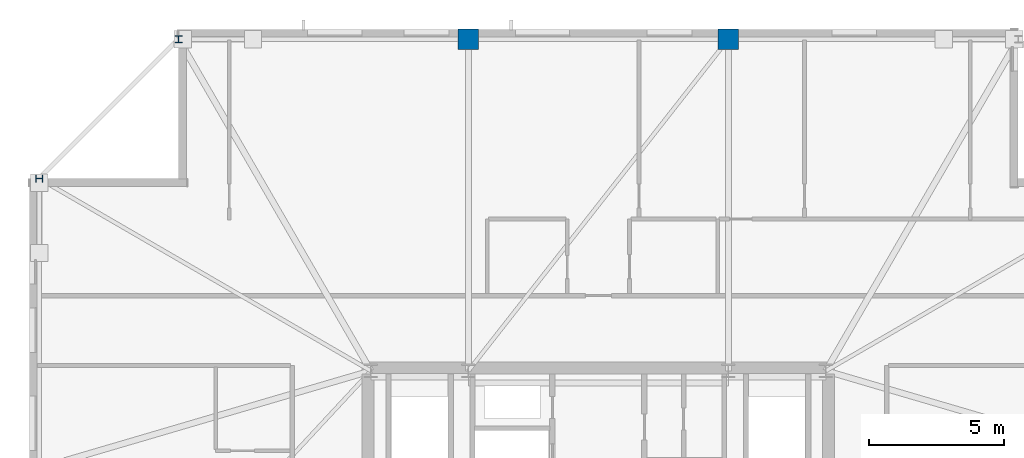
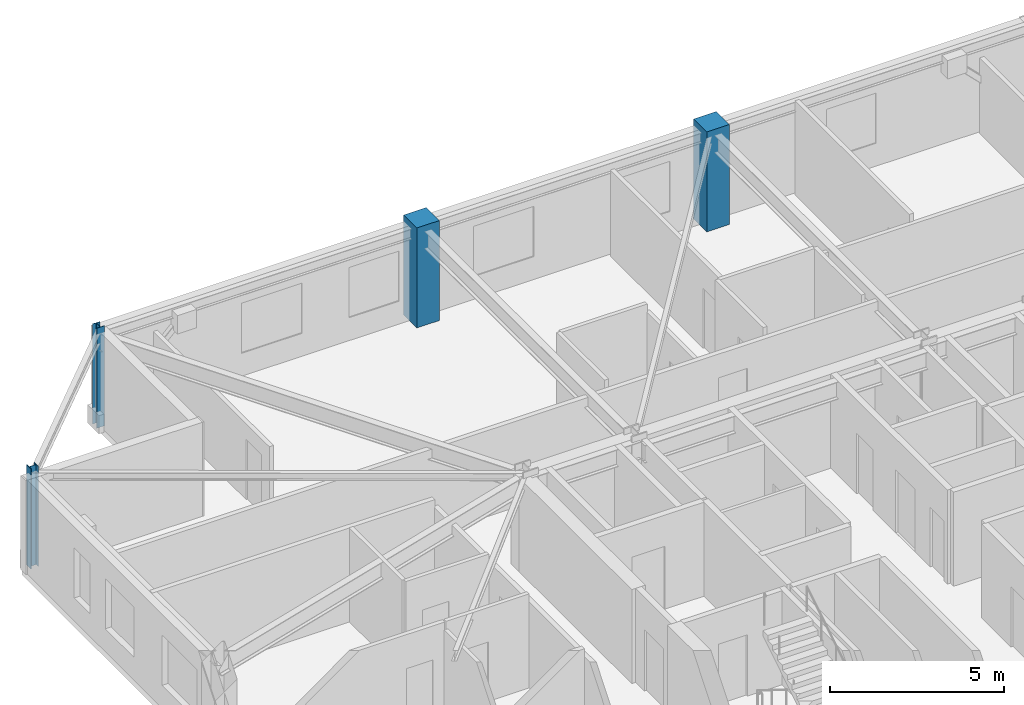
# One storey, part 4 of 14: 4 columns.
"""IFC4 building model written with IfcOpenShell, lengths in metres."""

import ifcopenshell
import ifcopenshell.guid

model = None  # the IFC model being written
_history = None  # IfcOwnerHistory: only IFC2X3 demands one
_inside = {}  # id of a spatial element -> (the spatial element, [elements in it])
_under = {}  # id of a project, library or spatial element -> (it, [spatial elements below it])
_declared = {}  # id of a project -> (the project, [libraries it declares])
_typed = {}  # id of a type object -> (the type object, [elements of that type])
_made_of = {}  # id of a material, layer set ... -> (it, [elements and type objects made of it])


def new_model(schema):
    """Start an empty IFC model of exactly this schema.

    Asked for "IFC4X3", IfcOpenShell would pick the latest addendum, in which some entities
    have other attributes; the version numbers below select the first issue.
    IFC2X3 requires an IfcOwnerHistory on every rooted entity: one is made here for all.
    """
    global model, _history
    if schema == "IFC4X3":
        model = ifcopenshell.file(schema_version=(4, 3, 0, 0))
    else:
        model = ifcopenshell.file(schema=schema)
    _inside.clear()
    _under.clear()
    _declared.clear()
    _typed.clear()
    _made_of.clear()
    _history = None
    if model.schema == "IFC2X3":
        org = make("IfcOrganization", Name="unknown")
        user = make(
            "IfcPersonAndOrganization",
            ThePerson=make("IfcPerson", FamilyName="unknown"),
            TheOrganization=org,
        )
        app = make(
            "IfcApplication",
            ApplicationDeveloper=org,
            Version="unknown",
            ApplicationFullName="unknown",
            ApplicationIdentifier="unknown",
        )
        _history = make(
            "IfcOwnerHistory",
            OwningUser=user,
            OwningApplication=app,
            ChangeAction="ADDED",
            CreationDate=0,
        )
    return model


def make(cls, **values):
    """One entity of the class cls with the attributes given. An attribute that is None is left unset."""
    return model.create_entity(
        cls, **{name: value for name, value in values.items() if value is not None}
    )


def rooted(cls, **values):
    """An entity with a GlobalId (a new one), such as an element, a storey or a relation."""
    return make(cls, GlobalId=ifcopenshell.guid.new(), OwnerHistory=_history, **values)


def si_unit(unit_type, name, prefix=None):
    """IfcSIUnit, for example si_unit("LENGTHUNIT", "METRE", prefix="MILLI")."""
    return make("IfcSIUnit", UnitType=unit_type, Prefix=prefix, Name=name)


def assignment(units):
    """IfcUnitAssignment: the units of a project."""
    return None if units is None else make("IfcUnitAssignment", Units=units)


def point(xyz):
    """IfcCartesianPoint."""
    return None if xyz is None else make("IfcCartesianPoint", Coordinates=xyz)


def direction(xyz):
    """IfcDirection."""
    return None if xyz is None else make("IfcDirection", DirectionRatios=xyz)


def frame(location, z_axis=None, x_axis=None):
    """IfcAxis2Placement3D, a coordinate frame: its origin and axes. An axis left out is left unset."""
    return make(
        "IfcAxis2Placement3D",
        Location=point(location),
        Axis=direction(z_axis),
        RefDirection=direction(x_axis),
    )


def frame_2d(location, x_axis=None):
    """IfcAxis2Placement2D, a coordinate frame in the plane: its origin and x axis."""
    return make(
        "IfcAxis2Placement2D", Location=point(location), RefDirection=direction(x_axis)
    )


def origin():
    """The frame at (0, 0, 0) with its axes left unset."""
    return frame((0.0, 0.0, 0.0))


def origin_2d():
    """The frame at (0, 0) in the plane with its x axis left unset."""
    return frame_2d((0.0, 0.0))


def place(relative_to, where):
    """IfcLocalPlacement: puts the frame where relative to a parent placement (None: the world)."""
    return make(
        "IfcLocalPlacement", PlacementRelTo=relative_to, RelativePlacement=where
    )


def context(
    kind, dimensions, precision=None, world=None, true_north=None, identifier=None
):
    """IfcGeometricRepresentationContext, for example the 3D "Model" context."""
    return make(
        "IfcGeometricRepresentationContext",
        ContextIdentifier=identifier,
        ContextType=kind,
        CoordinateSpaceDimension=dimensions,
        Precision=precision,
        WorldCoordinateSystem=world,
        TrueNorth=true_north,
    )


def subcontext(parent, identifier, kind, view, scale=None):
    """IfcGeometricRepresentationSubContext, for example "Body" below "Model"."""
    return make(
        "IfcGeometricRepresentationSubContext",
        ContextIdentifier=identifier,
        ContextType=kind,
        ParentContext=parent,
        TargetScale=scale,
        TargetView=view,
    )


def project(units=None, contexts=None):
    """IfcProject with its units and contexts."""
    return rooted(
        "IfcProject",
        Name="project",
        RepresentationContexts=contexts,
        UnitsInContext=assignment(units),
    )


def spatial(cls, under=None, at=None, **own):
    """A site, building, storey or space (cls), placed at a placement, below another one or the project."""
    s = rooted(cls, ObjectPlacement=at, **own)
    if under is not None:
        _under.setdefault(under.id(), (under, []))[1].append(s)
    return s


def profile(cls, at=None, kind="AREA", **sizes):
    """A parametric profile (cls). Its sizes go by their IFC names, for example OverallWidth=200.0."""
    return make(cls, ProfileType=kind, Position=at, **sizes)


def rectangle(**sizes):
    """IfcRectangleProfileDef."""
    return profile("IfcRectangleProfileDef", **sizes)


def i_section(**sizes):
    """IfcIShapeProfileDef."""
    return profile("IfcIShapeProfileDef", **sizes)


def extrude(swept, where, along, depth):
    """IfcExtrudedAreaSolid: the profile swept, set in the frame where, extruded along a direction by depth."""
    return make(
        "IfcExtrudedAreaSolid",
        SweptArea=swept,
        Position=where,
        ExtrudedDirection=direction(along),
        Depth=depth,
    )


def shape(context_of_items, identifier, shape_type, items):
    """IfcShapeRepresentation: the items that make up one representation, for example the "Body"."""
    return make(
        "IfcShapeRepresentation",
        ContextOfItems=context_of_items,
        RepresentationIdentifier=identifier,
        RepresentationType=shape_type,
        Items=items,
    )


def material(Name=None, Category=None):
    """IfcMaterial."""
    return make("IfcMaterial", Name=Name, Category=Category)


def material_profile(
    of_material, cross_section, Name=None, Category=None, Priority=None
):
    """IfcMaterialProfile: a cross section and its material."""
    return make(
        "IfcMaterialProfile",
        Name=Name,
        Material=of_material,
        Profile=cross_section,
        Priority=Priority,
        Category=Category,
    )


def profile_set(profiles, Name=None, composite=None):
    """IfcMaterialProfileSet."""
    return make(
        "IfcMaterialProfileSet",
        Name=Name,
        MaterialProfiles=profiles,
        CompositeProfile=composite,
    )


def made_of(thing, what):
    """Note that an element or type object is made of a material, layer set ...; save() writes the relation."""
    if what is not None:
        _made_of.setdefault(what.id(), (what, []))[1].append(thing)
    return thing


def type_object(cls, material=None, **own):
    """A type object (cls), such as IfcWallType, which elements share."""
    return made_of(rooted(cls, **own), material)


def element(
    cls,
    number,
    at=None,
    inside=None,
    cuts=None,
    type_object=None,
    material=None,
    context=None,
    identifier="Body",
    shape_type=None,
    held_by="IfcProductDefinitionShape",
    body=None,
    shapes=None,
    **own,
):
    """One element of the class cls, such as IfcWall. Its Tag is "e" and its number.

    at: its placement. inside: the storey or other place that contains it. cuts: it is an
    opening in that element (IfcRelVoidsElement). A single representation is given by context,
    identifier, shape_type and body (its items); several are given by shapes. held_by: the class
    of the entity that holds the representations. save() writes the other relations.
    """
    e = rooted(cls, Tag="e%d" % number, ObjectPlacement=at, **own)
    if body is not None:
        shapes = [shape(context, identifier, shape_type, body)]
    if shapes is not None:
        e.Representation = make(held_by, Representations=shapes)
    if inside is not None:
        _inside.setdefault(inside.id(), (inside, []))[1].append(e)
    if cuts is not None:
        rooted(
            "IfcRelVoidsElement", RelatingBuildingElement=cuts, RelatedOpeningElement=e
        )
    if type_object is not None:
        _typed.setdefault(type_object.id(), (type_object, []))[1].append(e)
    return made_of(e, material)


def aggregate(whole, parts):
    """IfcRelAggregates: a whole, such as a stair, and the parts it consists of."""
    return rooted("IfcRelAggregates", RelatingObject=whole, RelatedObjects=parts)


def save(model, path):
    """Write the relations noted so far, then the file.

    IfcRelAggregates (storeys below a building ...), IfcRelContainedInSpatialStructure (elements
    in a storey), IfcRelDefinesByType, IfcRelAssociatesMaterial and IfcRelDeclares: one each for
    every whole, place, type object, material and project.
    """
    for whole, parts in _under.values():
        aggregate(whole, parts)
    for where, things in _inside.values():
        rooted(
            "IfcRelContainedInSpatialStructure",
            RelatedElements=things,
            RelatingStructure=where,
        )
    for kind, things in _typed.values():
        rooted("IfcRelDefinesByType", RelatedObjects=things, RelatingType=kind)
    for what, things in _made_of.values():
        rooted("IfcRelAssociatesMaterial", RelatedObjects=things, RelatingMaterial=what)
    for by, libraries in _declared.values():
        rooted("IfcRelDeclares", RelatingContext=by, RelatedDefinitions=libraries)
    model.write(path)


model = new_model("IFC4")

# Units and contexts
model_context = context("Model", 3, precision=1e-05, world=origin(), true_north=direction((0.0, 1.0)))
body_context = subcontext(model_context, "Body", "Model", "MODEL_VIEW")
ifc_project = project(units=[si_unit("LENGTHUNIT", "METRE"), si_unit("AREAUNIT", "SQUARE_METRE"), si_unit("VOLUMEUNIT", "CUBIC_METRE"), si_unit("PLANEANGLEUNIT", "RADIAN"), si_unit("MASSUNIT", "GRAM", prefix="KILO")], contexts=[model_context])

# Site, building, storey
site_placement = place(None, origin())
site = spatial("IfcSite", under=ifc_project, at=site_placement, CompositionType="ELEMENT")
building_placement = place(site_placement, origin())
building = spatial("IfcBuilding", under=site, at=building_placement, Name="Cairnveth Concourse Tower", CompositionType="ELEMENT")
storey_placement = place(building_placement, frame((0.0, 0.0, 294.5)))
storey = spatial("IfcBuildingStorey", under=building, at=storey_placement, Name="L81", CompositionType="ELEMENT", Elevation=294.5)

# Columns
ifc_material_1 = material(Name="Concrete N50 (50 MPa)", Category="concrete")
ifc_material_profile_1 = material_profile(ifc_material_1, rectangle(XDim=0.75, YDim=0.75, at=origin_2d()), Name="RC-COL-750x750")
ifc_profile_set_1 = profile_set([ifc_material_profile_1], Name="Concrete N50 (50 MPa)")
column_type_1 = type_object("IfcColumnType", Name="PERIMETER PIER COLUMN 750X750", PredefinedType="COLUMN", material=ifc_profile_set_1)
for number, where, z_axis, x_axis, name in (
    (1, (56.800048828125, 59.64990234375, 0.0), (0.0, 0.0, 1.0), (1.0, 0.0, 0.0), "Column P-N2 L81"),
    (2, (47.199951171875, 59.64990234375, 0.0), (0.0, 0.0, 1.0), (1.0, 0.0, 0.0), "Column P-N3 L81"),
):
    element("IfcColumn", number, at=place(storey_placement, frame(where, z_axis=z_axis, x_axis=x_axis)), inside=storey, type_object=column_type_1, Name=name, PredefinedType="COLUMN", context=body_context, shape_type="SweptSolid", body=[
        extrude(rectangle(XDim=0.75, YDim=0.75, at=origin_2d()), origin(), (0.0, 0.0, 1.0), 3.5),
    ])
ifc_material_2 = material(Name="Steel Grade 350", Category="steel")
ifc_material_profile_2 = material_profile(ifc_material_2, i_section(OverallWidth=0.25390625, OverallDepth=0.25390625, WebThickness=0.008544921875, FlangeThickness=0.01416015625, FilletRadius=0.012939453125, at=origin_2d()), Name="250UC72.9")
ifc_profile_set_2 = profile_set([ifc_material_profile_2], Name="Steel Grade 350")
column_type_2 = type_object("IfcColumnType", Name="UNIVERSAL STEEL COLUMN 250UC72.9", PredefinedType="COLUMN", material=ifc_profile_set_2)
for number, where, z_axis, x_axis, name in (
    (3, (36.5, 59.64990234375, 0.0), (0.0, 0.0, 1.0), (1.0, 0.0, 0.0), "Column P-N4 L81"),
    (4, (31.35009765625, 54.5, 0.0), (0.0, 0.0, 1.0), (0.0, 1.0, 0.0), "Column P-W1 L81"),
):
    element("IfcColumn", number, at=place(storey_placement, frame(where, z_axis=z_axis, x_axis=x_axis)), inside=storey, type_object=column_type_2, Name=name, PredefinedType="COLUMN", context=body_context, shape_type="SweptSolid", body=[
        extrude(i_section(OverallWidth=0.25390625, OverallDepth=0.25390625, WebThickness=0.008544921875, FlangeThickness=0.01416015625, FilletRadius=0.012939453125, at=origin_2d()), origin(), (0.0, 0.0, 1.0), 3.5),
    ])

save(model, "model.ifc")
